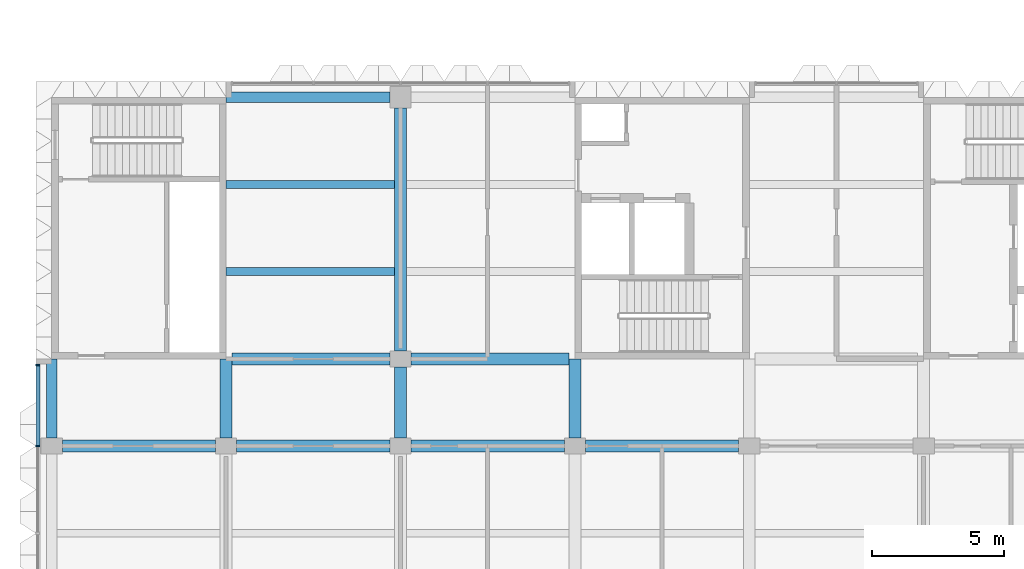
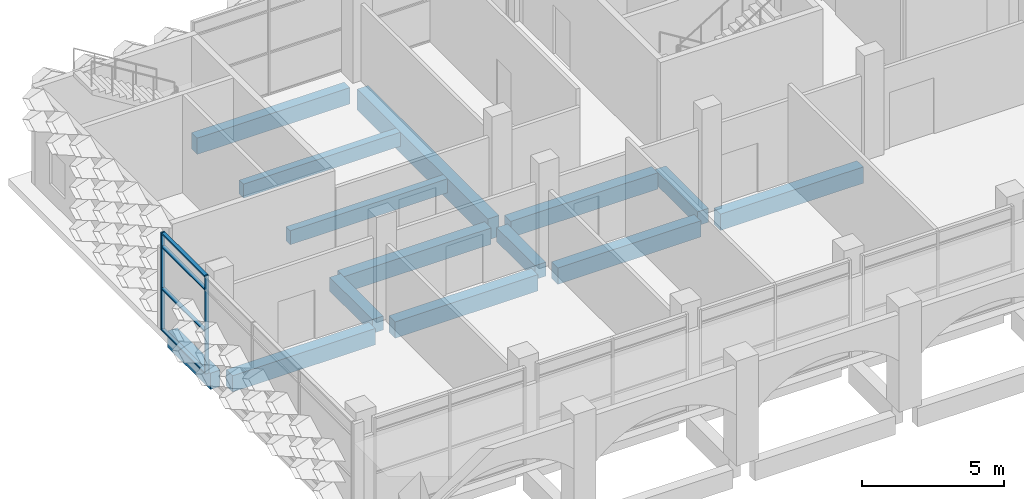
# One storey, part 4 of 87: 14 beams, 6 members, 1 element without a shape of its own.
"""IFC4 building model written with IfcOpenShell, lengths in metres."""

import ifcopenshell
import ifcopenshell.guid

model = None  # the IFC model being written
_history = None  # IfcOwnerHistory: only IFC2X3 demands one
_inside = {}  # id of a spatial element -> (the spatial element, [elements in it])
_under = {}  # id of a project, library or spatial element -> (it, [spatial elements below it])
_declared = {}  # id of a project -> (the project, [libraries it declares])
_typed = {}  # id of a type object -> (the type object, [elements of that type])
_made_of = {}  # id of a material, layer set ... -> (it, [elements and type objects made of it])


def new_model(schema):
    """Start an empty IFC model of exactly this schema.

    Asked for "IFC4X3", IfcOpenShell would pick the latest addendum, in which some entities
    have other attributes; the version numbers below select the first issue.
    IFC2X3 requires an IfcOwnerHistory on every rooted entity: one is made here for all.
    """
    global model, _history
    if schema == "IFC4X3":
        model = ifcopenshell.file(schema_version=(4, 3, 0, 0))
    else:
        model = ifcopenshell.file(schema=schema)
    _inside.clear()
    _under.clear()
    _declared.clear()
    _typed.clear()
    _made_of.clear()
    _history = None
    if model.schema == "IFC2X3":
        org = make("IfcOrganization", Name="unknown")
        user = make(
            "IfcPersonAndOrganization",
            ThePerson=make("IfcPerson", FamilyName="unknown"),
            TheOrganization=org,
        )
        app = make(
            "IfcApplication",
            ApplicationDeveloper=org,
            Version="unknown",
            ApplicationFullName="unknown",
            ApplicationIdentifier="unknown",
        )
        _history = make(
            "IfcOwnerHistory",
            OwningUser=user,
            OwningApplication=app,
            ChangeAction="ADDED",
            CreationDate=0,
        )
    return model


def make(cls, **values):
    """One entity of the class cls with the attributes given. An attribute that is None is left unset."""
    return model.create_entity(
        cls, **{name: value for name, value in values.items() if value is not None}
    )


def rooted(cls, **values):
    """An entity with a GlobalId (a new one), such as an element, a storey or a relation."""
    return make(cls, GlobalId=ifcopenshell.guid.new(), OwnerHistory=_history, **values)


def si_unit(unit_type, name, prefix=None):
    """IfcSIUnit, for example si_unit("LENGTHUNIT", "METRE", prefix="MILLI")."""
    return make("IfcSIUnit", UnitType=unit_type, Prefix=prefix, Name=name)


def assignment(units):
    """IfcUnitAssignment: the units of a project."""
    return None if units is None else make("IfcUnitAssignment", Units=units)


def point(xyz):
    """IfcCartesianPoint."""
    return None if xyz is None else make("IfcCartesianPoint", Coordinates=xyz)


def direction(xyz):
    """IfcDirection."""
    return None if xyz is None else make("IfcDirection", DirectionRatios=xyz)


def frame(location, z_axis=None, x_axis=None):
    """IfcAxis2Placement3D, a coordinate frame: its origin and axes. An axis left out is left unset."""
    return make(
        "IfcAxis2Placement3D",
        Location=point(location),
        Axis=direction(z_axis),
        RefDirection=direction(x_axis),
    )


def frame_2d(location, x_axis=None):
    """IfcAxis2Placement2D, a coordinate frame in the plane: its origin and x axis."""
    return make(
        "IfcAxis2Placement2D", Location=point(location), RefDirection=direction(x_axis)
    )


def origin():
    """The frame at (0, 0, 0) with its axes left unset."""
    return frame((0.0, 0.0, 0.0))


def origin_2d():
    """The frame at (0, 0) in the plane with its x axis left unset."""
    return frame_2d((0.0, 0.0))


def place(relative_to, where):
    """IfcLocalPlacement: puts the frame where relative to a parent placement (None: the world)."""
    return make(
        "IfcLocalPlacement", PlacementRelTo=relative_to, RelativePlacement=where
    )


def context(
    kind, dimensions, precision=None, world=None, true_north=None, identifier=None
):
    """IfcGeometricRepresentationContext, for example the 3D "Model" context."""
    return make(
        "IfcGeometricRepresentationContext",
        ContextIdentifier=identifier,
        ContextType=kind,
        CoordinateSpaceDimension=dimensions,
        Precision=precision,
        WorldCoordinateSystem=world,
        TrueNorth=true_north,
    )


def subcontext(parent, identifier, kind, view, scale=None):
    """IfcGeometricRepresentationSubContext, for example "Body" below "Model"."""
    return make(
        "IfcGeometricRepresentationSubContext",
        ContextIdentifier=identifier,
        ContextType=kind,
        ParentContext=parent,
        TargetScale=scale,
        TargetView=view,
    )


def project(units=None, contexts=None):
    """IfcProject with its units and contexts."""
    return rooted(
        "IfcProject",
        Name="project",
        RepresentationContexts=contexts,
        UnitsInContext=assignment(units),
    )


def spatial(cls, under=None, at=None, **own):
    """A site, building, storey or space (cls), placed at a placement, below another one or the project."""
    s = rooted(cls, ObjectPlacement=at, **own)
    if under is not None:
        _under.setdefault(under.id(), (under, []))[1].append(s)
    return s


def profile(cls, at=None, kind="AREA", **sizes):
    """A parametric profile (cls). Its sizes go by their IFC names, for example OverallWidth=200.0."""
    return make(cls, ProfileType=kind, Position=at, **sizes)


def rectangle(**sizes):
    """IfcRectangleProfileDef."""
    return profile("IfcRectangleProfileDef", **sizes)


def extrude(swept, where, along, depth):
    """IfcExtrudedAreaSolid: the profile swept, set in the frame where, extruded along a direction by depth."""
    return make(
        "IfcExtrudedAreaSolid",
        SweptArea=swept,
        Position=where,
        ExtrudedDirection=direction(along),
        Depth=depth,
    )


def shape(context_of_items, identifier, shape_type, items):
    """IfcShapeRepresentation: the items that make up one representation, for example the "Body"."""
    return make(
        "IfcShapeRepresentation",
        ContextOfItems=context_of_items,
        RepresentationIdentifier=identifier,
        RepresentationType=shape_type,
        Items=items,
    )


def material(Name=None, Category=None):
    """IfcMaterial."""
    return make("IfcMaterial", Name=Name, Category=Category)


def material_profile(
    of_material, cross_section, Name=None, Category=None, Priority=None
):
    """IfcMaterialProfile: a cross section and its material."""
    return make(
        "IfcMaterialProfile",
        Name=Name,
        Material=of_material,
        Profile=cross_section,
        Priority=Priority,
        Category=Category,
    )


def profile_set(profiles, Name=None, composite=None):
    """IfcMaterialProfileSet."""
    return make(
        "IfcMaterialProfileSet",
        Name=Name,
        MaterialProfiles=profiles,
        CompositeProfile=composite,
    )


def made_of(thing, what):
    """Note that an element or type object is made of a material, layer set ...; save() writes the relation."""
    if what is not None:
        _made_of.setdefault(what.id(), (what, []))[1].append(thing)
    return thing


def type_object(cls, material=None, **own):
    """A type object (cls), such as IfcWallType, which elements share."""
    return made_of(rooted(cls, **own), material)


def element(
    cls,
    number,
    at=None,
    inside=None,
    cuts=None,
    type_object=None,
    material=None,
    context=None,
    identifier="Body",
    shape_type=None,
    held_by="IfcProductDefinitionShape",
    body=None,
    shapes=None,
    **own,
):
    """One element of the class cls, such as IfcWall. Its Tag is "e" and its number.

    at: its placement. inside: the storey or other place that contains it. cuts: it is an
    opening in that element (IfcRelVoidsElement). A single representation is given by context,
    identifier, shape_type and body (its items); several are given by shapes. held_by: the class
    of the entity that holds the representations. save() writes the other relations.
    """
    e = rooted(cls, Tag="e%d" % number, ObjectPlacement=at, **own)
    if body is not None:
        shapes = [shape(context, identifier, shape_type, body)]
    if shapes is not None:
        e.Representation = make(held_by, Representations=shapes)
    if inside is not None:
        _inside.setdefault(inside.id(), (inside, []))[1].append(e)
    if cuts is not None:
        rooted(
            "IfcRelVoidsElement", RelatingBuildingElement=cuts, RelatedOpeningElement=e
        )
    if type_object is not None:
        _typed.setdefault(type_object.id(), (type_object, []))[1].append(e)
    return made_of(e, material)


def aggregate(whole, parts):
    """IfcRelAggregates: a whole, such as a stair, and the parts it consists of."""
    return rooted("IfcRelAggregates", RelatingObject=whole, RelatedObjects=parts)


def save(model, path):
    """Write the relations noted so far, then the file.

    IfcRelAggregates (storeys below a building ...), IfcRelContainedInSpatialStructure (elements
    in a storey), IfcRelDefinesByType, IfcRelAssociatesMaterial and IfcRelDeclares: one each for
    every whole, place, type object, material and project.
    """
    for whole, parts in _under.values():
        aggregate(whole, parts)
    for where, things in _inside.values():
        rooted(
            "IfcRelContainedInSpatialStructure",
            RelatedElements=things,
            RelatingStructure=where,
        )
    for kind, things in _typed.values():
        rooted("IfcRelDefinesByType", RelatedObjects=things, RelatingType=kind)
    for what, things in _made_of.values():
        rooted("IfcRelAssociatesMaterial", RelatedObjects=things, RelatingMaterial=what)
    for by, libraries in _declared.values():
        rooted("IfcRelDeclares", RelatingContext=by, RelatedDefinitions=libraries)
    model.write(path)


model = new_model("IFC4")

# Units and contexts
model_context = context("Model", 3, precision=1e-05, world=origin(), true_north=direction((0.0, 1.0)))
body_context = subcontext(model_context, "Body", "Model", "MODEL_VIEW")
ifc_project = project(units=[si_unit("LENGTHUNIT", "METRE"), si_unit("AREAUNIT", "SQUARE_METRE"), si_unit("VOLUMEUNIT", "CUBIC_METRE"), si_unit("PLANEANGLEUNIT", "RADIAN"), si_unit("MASSUNIT", "GRAM", prefix="KILO")], contexts=[model_context])

# Site, building, storey
site_placement = place(None, origin())
site = spatial("IfcSite", under=ifc_project, at=site_placement, CompositionType="ELEMENT")
building_placement = place(site_placement, origin())
building = spatial("IfcBuilding", under=site, at=building_placement, Name="Lantern Court Research Institute", CompositionType="ELEMENT")
storey_placement = place(building_placement, frame((0.0, 0.0, 5.39990234375)))
storey = spatial("IfcBuildingStorey", under=building, at=storey_placement, Name="L01", CompositionType="ELEMENT", Elevation=5.39990234375)

# Curtain wall, members
ifc_material_1 = material(Name="Aluminium alloy 6063-T6", Category="aluminium")
curtain_wall_type = type_object("IfcCurtainWallType", Name="Curtain wall 13450 x 4200 x 150 aluminium frame", PredefinedType="NOTDEFINED", material=ifc_material_1)
curtain_wall_placement = place(storey_placement, origin())
curtain_wall = element("IfcCurtainWall", 1, at=curtain_wall_placement, inside=storey, type_object=curtain_wall_type, Name="Curtain wall CW031", PredefinedType="NOTDEFINED")
ifc_material_2 = material(Name="Aluminium alloy 6063-T6", Category="aluminium")
ifc_material_profile_1 = material_profile(ifc_material_2, rectangle(XDim=0.14990234375, YDim=0.06005859375, at=origin_2d()), Name="Mullion 150 x 60")
ifc_profile_set_1 = profile_set([ifc_material_profile_1], Name="Aluminium alloy 6063-T6")
member_type_1 = type_object("IfcMemberType", Name="Mullion 150 x 60 aluminium", PredefinedType="MULLION", material=ifc_profile_set_1)
member_1_placement = place(storey_placement, frame((-0.52490234375, 9.89990234375, 0.0), z_axis=(0.0, 0.0, 1.0), x_axis=(-1.0, 0.0, 0.0)))
member_1 = element("IfcMember", 2, at=member_1_placement, type_object=member_type_1, Name="CW031 mullion 4", PredefinedType="MULLION", context=body_context, shape_type="SweptSolid", body=[
    extrude(rectangle(XDim=0.14990234375, YDim=0.06005859375, at=origin_2d()), origin(), (0.0, 0.0, 1.0), 4.2001953125),
])
member_2_placement = place(storey_placement, frame((-0.52490234375, 12.969970703125, 0.0), z_axis=(0.0, 0.0, 1.0), x_axis=(-1.0, 0.0, 0.0)))
member_2 = element("IfcMember", 3, at=member_2_placement, type_object=member_type_1, Name="CW031 mullion 5", PredefinedType="MULLION", context=body_context, shape_type="SweptSolid", body=[
    extrude(rectangle(XDim=0.14990234375, YDim=0.06005859375, at=origin_2d()), origin(), (0.0, 0.0, 1.0), 4.2001953125),
])

# Beams
ifc_material_3 = material(Name="Concrete C40/50", Category="concrete")
ifc_material_profile_2 = material_profile(ifc_material_3, rectangle(XDim=0.449951171875, YDim=0.699951171875, at=origin_2d()), Name="RC beam 450 x 700")
ifc_profile_set_2 = profile_set([ifc_material_profile_2], Name="Concrete C40/50")
beam_type_1 = type_object("IfcBeamType", Name="RC beam 450 x 700", PredefinedType="BEAM", material=ifc_profile_set_2)
for number, where, z_axis, x_axis, name in (
    (4, (0.39990234375, 9.89990234375, -0.64990234375), (1.0, 0.0, 0.0), (0.0, 1.0, 0.0), "Beam L01 grid B/1-2"),
    (5, (7.0, 9.89990234375, -0.64990234375), (1.0, 0.0, 0.0), (0.0, 1.0, 0.0), "Beam L01 grid B/2-3"),
):
    element("IfcBeam", number, at=place(storey_placement, frame(where, z_axis=z_axis, x_axis=x_axis)), inside=storey, type_object=beam_type_1, Name=name, PredefinedType="BEAM", context=body_context, shape_type="SweptSolid", body=[
        extrude(rectangle(XDim=0.449951171875, YDim=0.699951171875, at=origin_2d()), origin(), (0.0, 0.0, 1.0), 5.800048828125),
    ])
beam_1_placement = place(storey_placement, frame((13.60009765625, 9.89990234375, -0.64990234375), z_axis=(1.0, 0.0, 0.0), x_axis=(0.0, 1.0, 0.0)))
element("IfcBeam", 6, at=beam_1_placement, inside=storey, type_object=beam_type_1, Name="Beam L01 grid B/3-4", PredefinedType="BEAM", context=body_context, shape_type="SweptSolid", body=[
    extrude(rectangle(XDim=0.449951171875, YDim=0.699951171875, at=origin_2d()), origin(), (0.0, 0.0, 1.0), 5.7998046875),
])
beam_2_placement = place(storey_placement, frame((20.199951171875, 9.89990234375, -0.64990234375), z_axis=(1.0, 0.0, 0.0), x_axis=(0.0, 1.0, 0.0)))
element("IfcBeam", 7, at=beam_2_placement, inside=storey, type_object=beam_type_1, Name="Beam L01 grid B/4-5", PredefinedType="BEAM", context=body_context, shape_type="SweptSolid", body=[
    extrude(rectangle(XDim=0.449951171875, YDim=0.699951171875, at=origin_2d()), origin(), (0.0, 0.0, 1.0), 5.800048828125),
])
beam_3_placement = place(storey_placement, frame((6.824951171875, 13.199951171875, -0.64990234375), z_axis=(1.0, 0.0, 0.0), x_axis=(0.0, 1.0, 0.0)))
element("IfcBeam", 8, at=beam_3_placement, inside=storey, type_object=beam_type_1, Name="Beam L01 grid C/2-3", PredefinedType="BEAM", context=body_context, shape_type="SweptSolid", body=[
    extrude(rectangle(XDim=0.449951171875, YDim=0.699951171875, at=origin_2d()), origin(), (0.0, 0.0, 1.0), 5.97509765625),
])
beam_4_placement = place(storey_placement, frame((13.60009765625, 13.199951171875, -0.64990234375), z_axis=(1.0, 0.0, 0.0), x_axis=(0.0, 1.0, 0.0)))
element("IfcBeam", 9, at=beam_4_placement, inside=storey, type_object=beam_type_1, Name="Beam L01 grid C/3-4", PredefinedType="BEAM", context=body_context, shape_type="SweptSolid", body=[
    extrude(rectangle(XDim=0.449951171875, YDim=0.699951171875, at=origin_2d()), origin(), (0.0, 0.0, 1.0), 5.974853515625),
])
ifc_material_4 = material(Name="Concrete C40/50", Category="concrete")
ifc_material_profile_3 = material_profile(ifc_material_4, rectangle(XDim=0.39990234375, YDim=0.699951171875, at=origin_2d()), Name="RC beam 400 x 700")
ifc_profile_set_3 = profile_set([ifc_material_profile_3], Name="Concrete C40/50")
beam_type_2 = type_object("IfcBeamType", Name="RC edge beam 400 x 700", PredefinedType="BEAM", material=ifc_profile_set_3)
beam_5_placement = place(storey_placement, frame((0.0, 10.199951171875, -0.64990234375), z_axis=(0.0, 1.0, 0.0), x_axis=(-1.0, 0.0, 0.0)))
element("IfcBeam", 10, at=beam_5_placement, inside=storey, type_object=beam_type_2, Name="Edge beam L01 grid 1/B-C", PredefinedType="BEAM", context=body_context, shape_type="SweptSolid", body=[
    extrude(rectangle(XDim=0.39990234375, YDim=0.699951171875, at=origin_2d()), origin(), (0.0, 0.0, 1.0), 3.0),
])
beam_6_placement = place(storey_placement, frame((6.60009765625, 23.10009765625, -0.64990234375), z_axis=(1.0, 0.0, 0.0), x_axis=(0.0, 1.0, 0.0)))
element("IfcBeam", 11, at=beam_6_placement, inside=storey, type_object=beam_type_2, Name="Edge beam L01 grid D/2-3", PredefinedType="BEAM", context=body_context, shape_type="SweptSolid", body=[
    extrude(rectangle(XDim=0.39990234375, YDim=0.699951171875, at=origin_2d()), origin(), (0.0, 0.0, 1.0), 6.199951171875),
])
ifc_material_5 = material(Name="Concrete C40/50", Category="concrete")
ifc_material_profile_4 = material_profile(ifc_material_5, rectangle(XDim=0.449951171875, YDim=0.89990234375, at=origin_2d()), Name="RC beam 450 x 900")
ifc_profile_set_4 = profile_set([ifc_material_profile_4], Name="Concrete C40/50")
beam_type_3 = type_object("IfcBeamType", Name="RC girder 450 x 900", PredefinedType="BEAM", material=ifc_profile_set_4)
beam_7_placement = place(storey_placement, frame((13.199951171875, 13.5, -0.75), z_axis=(0.0, 1.0, 0.0), x_axis=(-1.0, 0.0, 0.0)))
element("IfcBeam", 12, at=beam_7_placement, inside=storey, type_object=beam_type_3, Name="Girder L01 grid 3/C-D", PredefinedType="BEAM", context=body_context, shape_type="SweptSolid", body=[
    extrude(rectangle(XDim=0.449951171875, YDim=0.89990234375, at=origin_2d()), origin(), (0.0, 0.0, 1.0), 9.199951171875),
])
ifc_material_6 = material(Name="Concrete C40/50", Category="concrete")
ifc_material_profile_5 = material_profile(ifc_material_6, rectangle(XDim=0.300048828125, YDim=0.60009765625, at=origin_2d()), Name="RC beam 300 x 600")
ifc_profile_set_5 = profile_set([ifc_material_profile_5], Name="Concrete C40/50")
beam_type_4 = type_object("IfcBeamType", Name="RC secondary beam 300 x 600", PredefinedType="BEAM", material=ifc_profile_set_5)
for number, where, z_axis, x_axis, name in (
    (13, (6.60009765625, 16.5, -0.599853515625), (1.0, 0.0, 0.0), (0.0, 1.0, 0.0), "Secondary beam L01 grids 2-3 / C-D, line 1"),
    (14, (6.60009765625, 19.800048828125, -0.599853515625), (1.0, 0.0, 0.0), (0.0, 1.0, 0.0), "Secondary beam L01 grids 2-3 / C-D, line 2"),
):
    element("IfcBeam", number, at=place(storey_placement, frame(where, z_axis=z_axis, x_axis=x_axis)), inside=storey, type_object=beam_type_4, Name=name, PredefinedType="BEAM", context=body_context, shape_type="SweptSolid", body=[
        extrude(rectangle(XDim=0.300048828125, YDim=0.60009765625, at=origin_2d()), origin(), (0.0, 0.0, 1.0), 6.375),
    ])
ifc_material_7 = material(Name="Concrete C40/50", Category="concrete")
ifc_material_profile_6 = material_profile(ifc_material_7, rectangle(XDim=0.449951171875, YDim=0.60009765625, at=origin_2d()), Name="RC beam 450 x 600")
ifc_profile_set_6 = profile_set([ifc_material_profile_6], Name="Concrete C40/50")
beam_type_5 = type_object("IfcBeamType", Name="RC spine beam 450 x 600", PredefinedType="BEAM", material=ifc_profile_set_6)
beam_8_placement = place(storey_placement, frame((6.60009765625, 10.199951171875, -0.599853515625), z_axis=(0.0, 1.0, 0.0), x_axis=(-1.0, 0.0, 0.0)))
element("IfcBeam", 15, at=beam_8_placement, inside=storey, type_object=beam_type_5, Name="Beam L01 grid 2/B-C", PredefinedType="BEAM", context=body_context, shape_type="SweptSolid", body=[
    extrude(rectangle(XDim=0.449951171875, YDim=0.60009765625, at=origin_2d()), origin(), (0.0, 0.0, 1.0), 3.0),
])
beam_9_placement = place(storey_placement, frame((13.199951171875, 10.199951171875, -0.599853515625), z_axis=(0.0, 1.0, 0.0), x_axis=(-1.0, 0.0, 0.0)))
element("IfcBeam", 16, at=beam_9_placement, inside=storey, type_object=beam_type_5, Name="Beam L01 grid 3/B-C", PredefinedType="BEAM", context=body_context, shape_type="SweptSolid", body=[
    extrude(rectangle(XDim=0.449951171875, YDim=0.60009765625, at=origin_2d()), origin(), (0.0, 0.0, 1.0), 2.699951171875),
])
beam_10_placement = place(storey_placement, frame((19.800048828125, 10.199951171875, -0.599853515625), z_axis=(0.0, 1.0, 0.0), x_axis=(-1.0, 0.0, 0.0)))
element("IfcBeam", 17, at=beam_10_placement, inside=storey, type_object=beam_type_5, Name="Beam L01 grid 4/B-C", PredefinedType="BEAM", context=body_context, shape_type="SweptSolid", body=[
    extrude(rectangle(XDim=0.449951171875, YDim=0.60009765625, at=origin_2d()), origin(), (0.0, 0.0, 1.0), 3.0),
])

# Member
ifc_material_8 = material(Name="Aluminium alloy 6063-T6", Category="aluminium")
ifc_material_profile_7 = material_profile(ifc_material_8, rectangle(XDim=0.14990234375, YDim=0.06005859375, at=origin_2d()), Name="Transom 150 x 60")
ifc_profile_set_7 = profile_set([ifc_material_profile_7], Name="Aluminium alloy 6063-T6")
member_type_2 = type_object("IfcMemberType", Name="Transom 150 x 60 aluminium", PredefinedType="USERDEFINED", material=ifc_profile_set_7)
member_3_placement = place(storey_placement, frame((-0.52490234375, 9.929931640625, 0.030029296875), z_axis=(0.0, 1.0, 0.0), x_axis=(-1.0, 0.0, 0.0)))
member_3 = element("IfcMember", 18, at=member_3_placement, type_object=member_type_2, Name="CW031 transom 4.1", ObjectType="TRANSOM", PredefinedType="USERDEFINED", context=body_context, shape_type="SweptSolid", body=[
    extrude(rectangle(XDim=0.14990234375, YDim=0.06005859375, at=origin_2d()), origin(), (0.0, 0.0, 1.0), 3.010009765625),
])

member_4_placement = place(storey_placement, frame((-0.52490234375, 9.929931640625, 1.800048828125), z_axis=(0.0, 1.0, 0.0), x_axis=(-1.0, 0.0, 0.0)))
member_4 = element("IfcMember", 19, at=member_4_placement, type_object=member_type_2, Name="CW031 transom 4.2", ObjectType="TRANSOM", PredefinedType="USERDEFINED", context=body_context, shape_type="SweptSolid", body=[
    extrude(rectangle(XDim=0.14990234375, YDim=0.06005859375, at=origin_2d()), origin(), (0.0, 0.0, 1.0), 3.010009765625),
])

member_5_placement = place(storey_placement, frame((-0.52490234375, 9.929931640625, 3.60009765625), z_axis=(0.0, 1.0, 0.0), x_axis=(-1.0, 0.0, 0.0)))
member_5 = element("IfcMember", 20, at=member_5_placement, type_object=member_type_2, Name="CW031 transom 4.3", ObjectType="TRANSOM", PredefinedType="USERDEFINED", context=body_context, shape_type="SweptSolid", body=[
    extrude(rectangle(XDim=0.14990234375, YDim=0.06005859375, at=origin_2d()), origin(), (0.0, 0.0, 1.0), 3.010009765625),
])

member_6_placement = place(storey_placement, frame((-0.52490234375, 9.929931640625, 4.170166015625), z_axis=(0.0, 1.0, 0.0), x_axis=(-1.0, 0.0, 0.0)))
member_6 = element("IfcMember", 21, at=member_6_placement, type_object=member_type_2, Name="CW031 transom 4.4", ObjectType="TRANSOM", PredefinedType="USERDEFINED", context=body_context, shape_type="SweptSolid", body=[
    extrude(rectangle(XDim=0.14990234375, YDim=0.06005859375, at=origin_2d()), origin(), (0.0, 0.0, 1.0), 3.010009765625),
])

aggregate(curtain_wall, [member_1, member_2, member_3, member_4, member_5, member_6])

save(model, "model.ifc")
